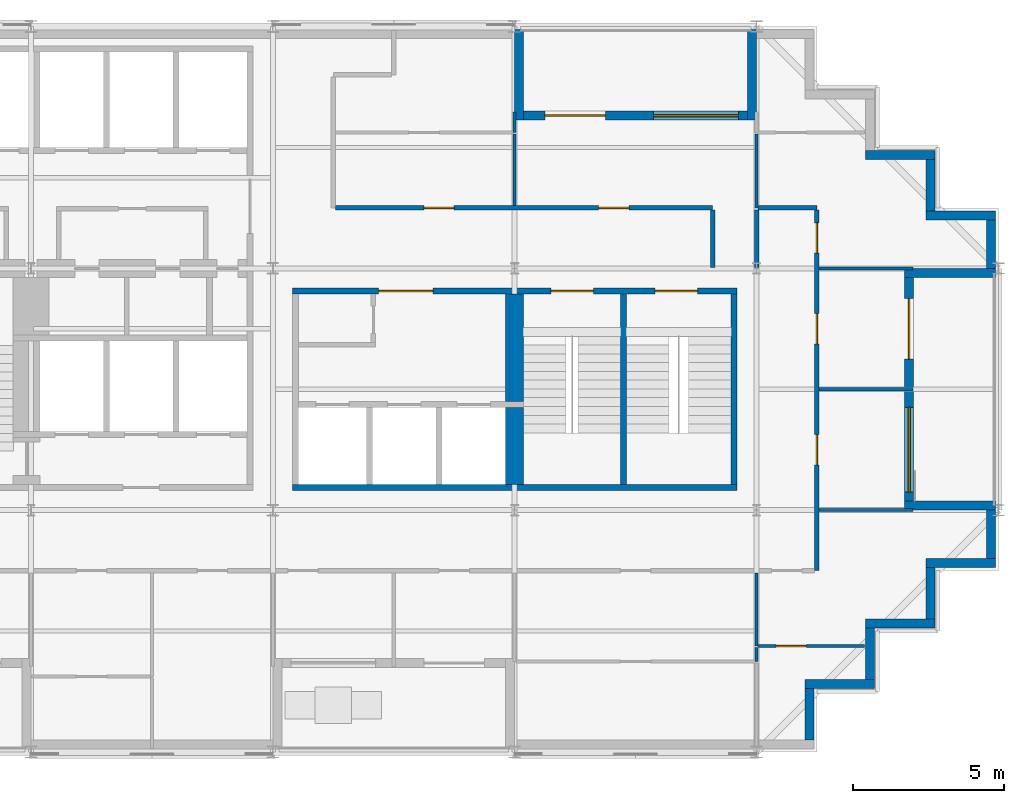
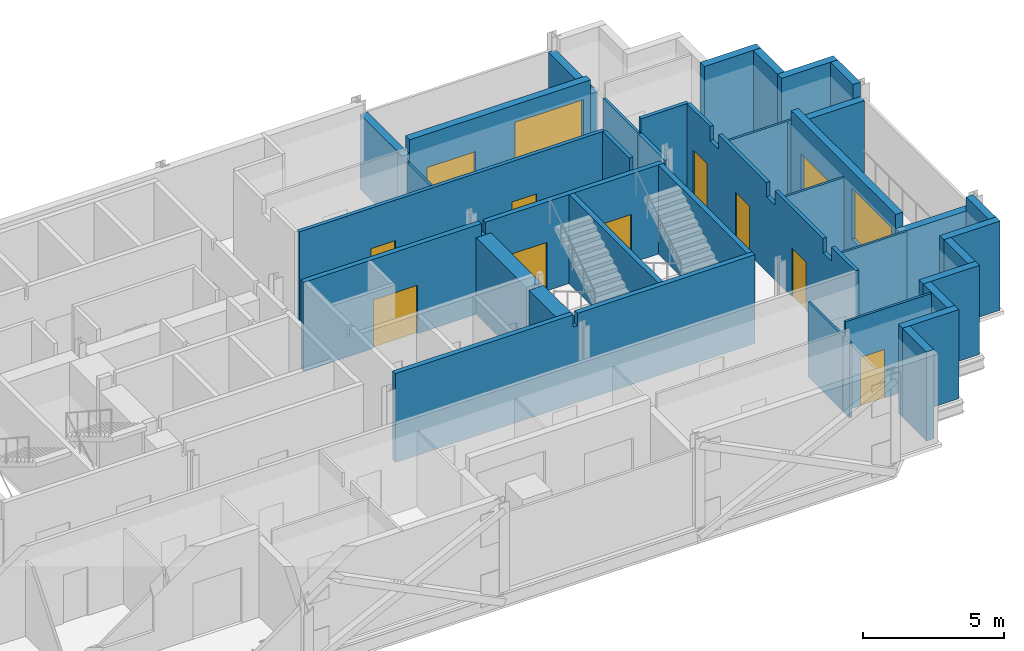
# One storey, part 7 of 10: 37 walls, 11 doors, 2 windows, 13 openings.
"""IFC4 building model written with IfcOpenShell, lengths in metres."""

from ifc_helpers import new_model, si_unit, direction, frame, frame_2d, origin, place, context, subcontext, project, spatial, polyline, rectangle, outline, extrude, material, layer, layer_set, type_object, element, fill, save


model = new_model("IFC4")

# Units and contexts
model_context = context("Model", 3, precision=1e-05, world=origin(), true_north=direction((0.0, 1.0)))
body_context = subcontext(model_context, "Body", "Model", "MODEL_VIEW")
ifc_project = project(units=[si_unit("LENGTHUNIT", "METRE"), si_unit("AREAUNIT", "SQUARE_METRE"), si_unit("VOLUMEUNIT", "CUBIC_METRE"), si_unit("PLANEANGLEUNIT", "RADIAN"), si_unit("MASSUNIT", "GRAM", prefix="KILO")], contexts=[model_context])

# Site, building, storey
site_placement = place(None, origin())
site = spatial("IfcSite", under=ifc_project, at=site_placement, CompositionType="ELEMENT")
building_placement = place(site_placement, origin())
building = spatial("IfcBuilding", under=site, at=building_placement, Name="Immortelle Media Tower", CompositionType="ELEMENT")
storey_placement = place(building_placement, frame((0.0, 0.0, 283.0)))
storey = spatial("IfcBuildingStorey", under=building, at=storey_placement, Name="L62", CompositionType="ELEMENT", Elevation=283.0)

# Wall, openings, doors
ifc_material_1 = material(Name="Fire-rated gypsum board", Category="gypsum")
ifc_layer_1 = layer(ifc_material_1, 0.012451171875)
ifc_material_2 = material(Name="Steel ASTM A653 SS Gr 50 stud frame with mineral wool", Category="steel")
ifc_layer_2 = layer(ifc_material_2, 0.125)
ifc_layer_3 = layer(ifc_material_1, 0.012451171875)
ifc_layer_set_1 = layer_set([ifc_layer_1, ifc_layer_2, ifc_layer_3], Name="Steel ASTM A653 SS Gr 50 stud frame with mineral wool")
wall_type_1 = type_object("IfcWallType", Name="Corridor wall 150", PredefinedType="PARTITIONING", material=ifc_layer_set_1)
wall_1_placement = place(storey_placement, frame((42.0, 6.0, 0.0), z_axis=(0.0, 0.0, 1.0), x_axis=(0.0, 1.0, 0.0)))
wall_1 = element("IfcWall", 1, at=wall_1_placement, inside=storey, type_object=wall_type_1, Name="Partition L62-017", PredefinedType="PARTITIONING", context=body_context, shape_type="SweptSolid", body=[
    extrude(outline(polyline([(0.0, 0.0), (11.925048828125, 0.0), (11.925048828125, 3.85009765625), (10.300048828125, 3.85009765625), (10.298095703125, 3.238037109375), (9.701904296875, 3.238037109375), (9.699951171875, 3.85009765625), (6.300048828125, 3.85009765625), (6.298095703125, 3.238037109375), (5.701904296875, 3.238037109375), (5.699951171875, 3.85009765625), (2.300048828125, 3.85009765625), (2.298095703125, 3.238037109375), (1.701904296875, 3.238037109375), (1.699951171875, 3.85009765625), (0.0, 3.85009765625), (0.0, 0.0)])), frame((0.0, 0.074951171875, 0.0), z_axis=(0.0, -1.0, 0.0), x_axis=(1.0, 0.0, 0.0)), (0.0, 0.0, 1.0), 0.14990234375),
])
opening_1_placement = place(wall_1_placement, frame((4.5, 0.0, 0.0), z_axis=(0.0, 0.0, 1.0), x_axis=(-1.0, 0.0, 0.0)))
opening_1 = element("IfcOpeningElement", 2, at=opening_1_placement, cuts=wall_1, Name="Opening X5-F015", PredefinedType="OPENING", context=body_context, shape_type="SweptSolid", body=[
    extrude(rectangle(XDim=1.0, YDim=2.10009765625, at=frame_2d((0.5, 1.050048828125))), frame((0.0, 0.0849609375, 0.0), z_axis=(0.0, -1.0, 0.0), x_axis=(1.0, 0.0, 0.0)), (0.0, 0.0, 1.0), 0.169921875),
])
opening_2_placement = place(wall_1_placement, frame((8.5, 0.0, 0.0), z_axis=(0.0, 0.0, 1.0), x_axis=(-1.0, 0.0, 0.0)))
opening_2 = element("IfcOpeningElement", 3, at=opening_2_placement, cuts=wall_1, Name="Opening X5-F016", PredefinedType="OPENING", context=body_context, shape_type="SweptSolid", body=[
    extrude(rectangle(XDim=1.0, YDim=2.10009765625, at=frame_2d((0.5, 1.050048828125))), frame((0.0, 0.0849609375, 0.0), z_axis=(0.0, -1.0, 0.0), x_axis=(1.0, 0.0, 0.0)), (0.0, 0.0, 1.0), 0.169921875),
])
opening_3_placement = place(wall_1_placement, frame((10.5, 0.0, 0.0)))
opening_3 = element("IfcOpeningElement", 4, at=opening_3_placement, cuts=wall_1, Name="Opening X5-F018", PredefinedType="OPENING", context=body_context, shape_type="SweptSolid", body=[
    extrude(rectangle(XDim=1.0, YDim=2.10009765625, at=frame_2d((0.5, 1.050048828125))), frame((0.0, 0.0849609375, 0.0), z_axis=(0.0, -1.0, 0.0), x_axis=(1.0, 0.0, 0.0)), (0.0, 0.0, 1.0), 0.169921875),
])
ifc_material_3 = material(Name="Timber veneered door leaf, galvanised steel frame ASTM A653", Category="steel")
door_type_1 = type_object("IfcDoorType", Name="Room door 1000 x 2100", OperationType="NOTDEFINED", PredefinedType="DOOR", material=ifc_material_3)
door_1_placement = place(opening_1_placement, origin())
door_1 = element("IfcDoor", 5, at=door_1_placement, inside=storey, type_object=door_type_1, Name="Door X5-F015", OperationType="SINGLE_SWING_LEFT", OverallHeight=2.10009765625, OverallWidth=1.0, PredefinedType="DOOR", context=body_context, shape_type="SweptSolid", body=[
    extrude(rectangle(XDim=1.0, YDim=2.10009765625, at=frame_2d((0.5, 1.050048828125))), frame((0.0, 0.02490234375, 0.0), z_axis=(0.0, -1.0, 0.0), x_axis=(1.0, 0.0, 0.0)), (0.0, 0.0, 1.0), 0.050048828125),
])
fill(opening_1, door_1)
door_2_placement = place(opening_2_placement, origin())
door_2 = element("IfcDoor", 6, at=door_2_placement, inside=storey, type_object=door_type_1, Name="Door X5-F016", OperationType="SINGLE_SWING_LEFT", OverallHeight=2.10009765625, OverallWidth=1.0, PredefinedType="DOOR", context=body_context, shape_type="SweptSolid", body=[
    extrude(rectangle(XDim=1.0, YDim=2.10009765625, at=frame_2d((0.5, 1.050048828125))), frame((0.0, 0.02490234375, 0.0), z_axis=(0.0, -1.0, 0.0), x_axis=(1.0, 0.0, 0.0)), (0.0, 0.0, 1.0), 0.050048828125),
])
fill(opening_2, door_2)
door_3_placement = place(opening_3_placement, origin())
door_3 = element("IfcDoor", 7, at=door_3_placement, inside=storey, type_object=door_type_1, Name="Door X5-F018", OperationType="SINGLE_SWING_RIGHT", OverallHeight=2.10009765625, OverallWidth=1.0, PredefinedType="DOOR", context=body_context, shape_type="SweptSolid", body=[
    extrude(rectangle(XDim=1.0, YDim=2.10009765625, at=frame_2d((0.5, 1.050048828125))), frame((0.0, 0.02490234375, 0.0), z_axis=(0.0, -1.0, 0.0), x_axis=(1.0, 0.0, 0.0)), (0.0, 0.0, 1.0), 0.050048828125),
])
fill(opening_3, door_3)

# Walls
wall_2_placement = place(storey_placement, frame((38.550048828125, 16.030029296875, 0.0), z_axis=(0.0, 0.0, 1.0), x_axis=(0.0, 1.0, 0.0)))
element("IfcWall", 8, at=wall_2_placement, inside=storey, type_object=wall_type_1, Name="Partition L62-024", PredefinedType="PARTITIONING", context=body_context, shape_type="SweptSolid", body=[
    extrude(rectangle(XDim=1.89501953125, YDim=0.14990234375, at=frame_2d((0.947509765625, 0.0))), origin(), (0.0, 0.0, 1.0), 3.85009765625),
])
wall_3_placement = place(storey_placement, frame((40.0, 16.030029296875, 0.0), z_axis=(0.0, 0.0, 1.0), x_axis=(0.0, 1.0, 0.0)))
element("IfcWall", 9, at=wall_3_placement, inside=storey, type_object=wall_type_1, Name="Partition L62-025", PredefinedType="PARTITIONING", context=body_context, shape_type="SweptSolid", body=[
    extrude(rectangle(XDim=1.89501953125, YDim=0.14990234375, at=frame_2d((0.947509765625, 0.0))), origin(), (0.0, 0.0, 1.0), 3.238037109375),
])

# Wall, openings, doors
wall_4_placement = place(storey_placement, frame((26.074951171875, 18.0, 0.0), z_axis=(0.0, 0.0, 1.0), x_axis=(1.0, 0.0, 0.0)))
wall_4 = element("IfcWall", 10, at=wall_4_placement, inside=storey, type_object=wall_type_1, Name="Partition L62-026", PredefinedType="PARTITIONING", context=body_context, shape_type="SweptSolid", body=[
    extrude(rectangle(XDim=12.47509765625, YDim=0.14990234375, at=frame_2d((6.237548828125, 0.0))), origin(), (0.0, 0.0, 1.0), 3.85009765625),
])
opening_4_placement = place(wall_4_placement, frame((8.699951171875, 0.0, 0.0)))
opening_4 = element("IfcOpeningElement", 11, at=opening_4_placement, cuts=wall_4, Name="Opening X5-F020", PredefinedType="OPENING", context=body_context, shape_type="SweptSolid", body=[
    extrude(rectangle(XDim=1.0, YDim=2.10009765625, at=frame_2d((0.5, 1.050048828125))), frame((0.0, 0.0849609375, 0.0), z_axis=(0.0, -1.0, 0.0), x_axis=(1.0, 0.0, 0.0)), (0.0, 0.0, 1.0), 0.169921875),
])
opening_5_placement = place(wall_4_placement, frame((2.925048828125, 0.0, 0.0)))
opening_5 = element("IfcOpeningElement", 12, at=opening_5_placement, cuts=wall_4, Name="Opening X5-F021", PredefinedType="OPENING", context=body_context, shape_type="SweptSolid", body=[
    extrude(rectangle(XDim=1.0, YDim=2.10009765625, at=frame_2d((0.5, 1.050048828125))), frame((0.0, 0.0849609375, 0.0), z_axis=(0.0, -1.0, 0.0), x_axis=(1.0, 0.0, 0.0)), (0.0, 0.0, 1.0), 0.169921875),
])
door_4_placement = place(opening_4_placement, origin())
door_4 = element("IfcDoor", 13, at=door_4_placement, inside=storey, type_object=door_type_1, Name="Door X5-F020", OperationType="SINGLE_SWING_LEFT", OverallHeight=2.10009765625, OverallWidth=1.0, PredefinedType="DOOR", context=body_context, shape_type="SweptSolid", body=[
    extrude(rectangle(XDim=1.0, YDim=2.10009765625, at=frame_2d((0.5, 1.050048828125))), frame((0.0, 0.02490234375, 0.0), z_axis=(0.0, -1.0, 0.0), x_axis=(1.0, 0.0, 0.0)), (0.0, 0.0, 1.0), 0.050048828125),
])
fill(opening_4, door_4)
door_5_placement = place(opening_5_placement, origin())
door_5 = element("IfcDoor", 14, at=door_5_placement, inside=storey, type_object=door_type_1, Name="Door X5-F021", OperationType="SINGLE_SWING_RIGHT", OverallHeight=2.10009765625, OverallWidth=1.0, PredefinedType="DOOR", context=body_context, shape_type="SweptSolid", body=[
    extrude(rectangle(XDim=1.0, YDim=2.10009765625, at=frame_2d((0.5, 1.050048828125))), frame((0.0, 0.02490234375, 0.0), z_axis=(0.0, -1.0, 0.0), x_axis=(1.0, 0.0, 0.0)), (0.0, 0.0, 1.0), 0.050048828125),
])
fill(opening_5, door_5)

# Walls
wall_5_placement = place(storey_placement, frame((40.050048828125, 18.0, 0.0), z_axis=(0.0, 0.0, 1.0), x_axis=(1.0, 0.0, 0.0)))
element("IfcWall", 15, at=wall_5_placement, inside=storey, type_object=wall_type_1, Name="Partition L62-029", PredefinedType="PARTITIONING", context=body_context, shape_type="SweptSolid", body=[
    extrude(rectangle(XDim=1.949951171875, YDim=0.14990234375, at=frame_2d((0.97509765625, 0.0))), origin(), (0.0, 0.0, 1.0), 3.85009765625),
])
ifc_material_4 = material(Name="Pale aluminium cladding panel", Category="aluminium")
ifc_layer_4 = layer(ifc_material_4, 0.030029296875)
ifc_layer_5 = layer(ifc_material_2, 0.257568359375)
ifc_material_5 = material(Name="Moisture-resistant gypsum board", Category="gypsum")
ifc_layer_6 = layer(ifc_material_5, 0.012451171875)
ifc_layer_set_2 = layer_set([ifc_layer_4, ifc_layer_5, ifc_layer_6], Name="Steel ASTM A653 SS Gr 50 stud frame with mineral wool")
wall_type_2 = type_object("IfcWallType", Name="Facade wall 300", PredefinedType="SOLIDWALL", material=ifc_layer_set_2)
wall_6_placement = place(storey_placement, frame((41.75, 0.39990234375, 0.0), z_axis=(0.0, 0.0, 1.0), x_axis=(0.0, 1.0, 0.0)))
element("IfcWall", 16, at=wall_6_placement, inside=storey, type_object=wall_type_2, Name="Facade wall L62 E7", PredefinedType="SOLIDWALL", context=body_context, shape_type="SweptSolid", body=[
    extrude(rectangle(XDim=1.7001953125, YDim=0.300048828125, at=frame_2d((0.85009765625, 0.0))), origin(), (0.0, 0.0, 1.0), 3.85009765625),
])
wall_7_placement = place(storey_placement, frame((41.60009765625, 2.25, 0.0), z_axis=(0.0, 0.0, 1.0), x_axis=(1.0, 0.0, 0.0)))
element("IfcWall", 17, at=wall_7_placement, inside=storey, type_object=wall_type_2, Name="Facade wall L62 S8", PredefinedType="SOLIDWALL", context=body_context, shape_type="SweptSolid", body=[
    extrude(rectangle(XDim=2.2998046875, YDim=0.300048828125, at=frame_2d((1.14990234375, 0.0))), origin(), (0.0, 0.0, 1.0), 3.85009765625),
])
wall_8_placement = place(storey_placement, frame((43.75, 2.39990234375, 0.0), z_axis=(0.0, 0.0, 1.0), x_axis=(0.0, 1.0, 0.0)))
element("IfcWall", 18, at=wall_8_placement, inside=storey, type_object=wall_type_2, Name="Facade wall L62 E9", PredefinedType="SOLIDWALL", context=body_context, shape_type="SweptSolid", body=[
    extrude(rectangle(XDim=1.7001953125, YDim=0.300048828125, at=frame_2d((0.85009765625, 0.0))), origin(), (0.0, 0.0, 1.0), 3.85009765625),
])
wall_9_placement = place(storey_placement, frame((43.60009765625, 4.25, 0.0), z_axis=(0.0, 0.0, 1.0), x_axis=(1.0, 0.0, 0.0)))
element("IfcWall", 19, at=wall_9_placement, inside=storey, type_object=wall_type_2, Name="Facade wall L62 S10", PredefinedType="SOLIDWALL", context=body_context, shape_type="SweptSolid", body=[
    extrude(rectangle(XDim=2.2998046875, YDim=0.300048828125, at=frame_2d((1.14990234375, 0.0))), origin(), (0.0, 0.0, 1.0), 3.85009765625),
])
wall_10_placement = place(storey_placement, frame((45.75, 4.39990234375, 0.0), z_axis=(0.0, 0.0, 1.0), x_axis=(0.0, 1.0, 0.0)))
element("IfcWall", 20, at=wall_10_placement, inside=storey, type_object=wall_type_2, Name="Facade wall L62 E11", PredefinedType="SOLIDWALL", context=body_context, shape_type="SweptSolid", body=[
    extrude(rectangle(XDim=1.7001953125, YDim=0.300048828125, at=frame_2d((0.85009765625, 0.0))), origin(), (0.0, 0.0, 1.0), 3.85009765625),
])
wall_11_placement = place(storey_placement, frame((45.60009765625, 6.25, 0.0), z_axis=(0.0, 0.0, 1.0), x_axis=(1.0, 0.0, 0.0)))
element("IfcWall", 21, at=wall_11_placement, inside=storey, type_object=wall_type_2, Name="Facade wall L62 S12", PredefinedType="SOLIDWALL", context=body_context, shape_type="SweptSolid", body=[
    extrude(rectangle(XDim=2.2998046875, YDim=0.300048828125, at=frame_2d((1.14990234375, 0.0))), origin(), (0.0, 0.0, 1.0), 3.85009765625),
])
wall_12_placement = place(storey_placement, frame((47.75, 6.39990234375, 0.0), z_axis=(0.0, 0.0, 1.0), x_axis=(0.0, 1.0, 0.0)))
element("IfcWall", 22, at=wall_12_placement, inside=storey, type_object=wall_type_2, Name="Facade wall L62 E13", PredefinedType="SOLIDWALL", context=body_context, shape_type="SweptSolid", body=[
    extrude(rectangle(XDim=1.60009765625, YDim=0.300048828125, at=frame_2d((0.800048828125, 0.0))), origin(), (0.0, 0.0, 1.0), 3.85009765625),
])

# Wall, openings, door, window
wall_13_placement = place(storey_placement, frame((45.050048828125, 8.300048828125, 0.0), z_axis=(0.0, 0.0, 1.0), x_axis=(0.0, 1.0, 0.0)))
wall_13 = element("IfcWall", 23, at=wall_13_placement, inside=storey, type_object=wall_type_2, Name="Loggia wall L62 E13", PredefinedType="SOLIDWALL", context=body_context, shape_type="SweptSolid", body=[
    extrude(rectangle(XDim=7.39990234375, YDim=0.300048828125, at=frame_2d((3.699951171875, 0.0))), origin(), (0.0, 0.0, 1.0), 3.85009765625),
])
opening_6_placement = place(wall_13_placement, frame((0.300048828125, 0.0, 0.89990234375)))
opening_6 = element("IfcOpeningElement", 24, at=opening_6_placement, cuts=wall_13, Name="Opening W1", PredefinedType="OPENING", context=body_context, shape_type="SweptSolid", body=[
    extrude(rectangle(XDim=2.800048828125, YDim=2.199951171875, at=frame_2d((1.39990234375, 1.10009765625))), frame((0.0, 0.159912109375, 0.0), z_axis=(0.0, -1.0, 0.0), x_axis=(1.0, 0.0, 0.0)), (0.0, 0.0, 1.0), 0.320068359375),
])
opening_7_placement = place(wall_13_placement, frame((4.699951171875, 0.0, 0.0)))
opening_7 = element("IfcOpeningElement", 25, at=opening_7_placement, cuts=wall_13, Name="Opening X5-E003", PredefinedType="OPENING", context=body_context, shape_type="SweptSolid", body=[
    extrude(rectangle(XDim=2.0, YDim=2.39990234375, at=frame_2d((1.0, 1.199951171875))), frame((0.0, 0.159912109375, 0.0), z_axis=(0.0, -1.0, 0.0), x_axis=(1.0, 0.0, 0.0)), (0.0, 0.0, 1.0), 0.320068359375),
])
ifc_material_6 = material(Name="Aluminium frame, glazed leaves", Category="aluminium")
door_type_2 = type_object("IfcDoorType", Name="Loggia door 2000 x 2400", OperationType="DOUBLE_DOOR_SINGLE_SWING", PredefinedType="DOOR", material=ifc_material_6)
door_6_placement = place(opening_7_placement, origin())
door_6 = element("IfcDoor", 26, at=door_6_placement, inside=storey, type_object=door_type_2, Name="Door X5-E003", OperationType="DOUBLE_DOOR_SINGLE_SWING", OverallHeight=2.39990234375, OverallWidth=2.0, PredefinedType="DOOR", context=body_context, shape_type="SweptSolid", body=[
    extrude(rectangle(XDim=2.0, YDim=2.39990234375, at=frame_2d((1.0, 1.199951171875))), frame((0.0, 0.02490234375, 0.0), z_axis=(0.0, -1.0, 0.0), x_axis=(1.0, 0.0, 0.0)), (0.0, 0.0, 1.0), 0.050048828125),
])
fill(opening_7, door_6)
ifc_material_7 = material(Name="Aluminium frame", Category="aluminium")
window_type = type_object("IfcWindowType", Name="Window 2800 x 2200", PartitioningType="SINGLE_PANEL", PredefinedType="WINDOW", material=ifc_material_7)
window_1_placement = place(opening_6_placement, origin())
window_1 = element("IfcWindow", 27, at=window_1_placement, inside=storey, type_object=window_type, Name="Window L62 L62-R13-B0", OverallHeight=2.199951171875, OverallWidth=2.800048828125, PartitioningType="SINGLE_PANEL", PredefinedType="WINDOW", context=body_context, shape_type="SweptSolid", body=[
    extrude(rectangle(XDim=2.800048828125, YDim=2.199951171875, at=frame_2d((1.39990234375, 1.10009765625))), frame((0.0, 0.030029296875, 0.0), z_axis=(0.0, -1.0, 0.0), x_axis=(1.0, 0.0, 0.0)), (0.0, 0.0, 1.0), 0.06005859375),
])
fill(opening_6, window_1)

# Walls
for number, where, z_axis, x_axis, name in (
    (28, (47.89990234375, 8.14990234375, 0.0), (0.0, 0.0, 1.0), (-1.0, 0.0, 0.0), "Loggia cheek wall L62 E"),
    (29, (47.89990234375, 15.85009765625, 0.0), (0.0, 0.0, 1.0), (-1.0, 0.0, 0.0), "Loggia cheek wall L62 E"),
):
    element("IfcWall", number, at=place(storey_placement, frame(where, z_axis=z_axis, x_axis=x_axis)), inside=storey, type_object=wall_type_2, Name=name, PredefinedType="SOLIDWALL", context=body_context, shape_type="SweptSolid", body=[
        extrude(rectangle(XDim=3.0, YDim=0.300048828125, at=frame_2d((1.5, 0.0))), origin(), (0.0, 0.0, 1.0), 3.237060546875),
    ])
wall_14_placement = place(storey_placement, frame((47.75, 16.0, 0.0), z_axis=(0.0, 0.0, 1.0), x_axis=(0.0, 1.0, 0.0)))
element("IfcWall", 30, at=wall_14_placement, inside=storey, type_object=wall_type_2, Name="Facade wall L62 E13", PredefinedType="SOLIDWALL", context=body_context, shape_type="SweptSolid", body=[
    extrude(rectangle(XDim=1.60009765625, YDim=0.300048828125, at=frame_2d((0.800048828125, 0.0))), origin(), (0.0, 0.0, 1.0), 3.85009765625),
])
wall_15_placement = place(storey_placement, frame((47.89990234375, 17.75, 0.0), z_axis=(0.0, 0.0, 1.0), x_axis=(-1.0, 0.0, 0.0)))
element("IfcWall", 31, at=wall_15_placement, inside=storey, type_object=wall_type_2, Name="Facade wall L62 N14", PredefinedType="SOLIDWALL", context=body_context, shape_type="SweptSolid", body=[
    extrude(rectangle(XDim=2.2998046875, YDim=0.300048828125, at=frame_2d((1.14990234375, 0.0))), origin(), (0.0, 0.0, 1.0), 3.85009765625),
])
wall_16_placement = place(storey_placement, frame((45.75, 17.89990234375, 0.0), z_axis=(0.0, 0.0, 1.0), x_axis=(0.0, 1.0, 0.0)))
element("IfcWall", 32, at=wall_16_placement, inside=storey, type_object=wall_type_2, Name="Facade wall L62 E15", PredefinedType="SOLIDWALL", context=body_context, shape_type="SweptSolid", body=[
    extrude(rectangle(XDim=1.7001953125, YDim=0.300048828125, at=frame_2d((0.85009765625, 0.0))), origin(), (0.0, 0.0, 1.0), 3.85009765625),
])
wall_17_placement = place(storey_placement, frame((45.89990234375, 19.75, 0.0), z_axis=(0.0, 0.0, 1.0), x_axis=(-1.0, 0.0, 0.0)))
element("IfcWall", 33, at=wall_17_placement, inside=storey, type_object=wall_type_2, Name="Facade wall L62 N16", PredefinedType="SOLIDWALL", context=body_context, shape_type="SweptSolid", body=[
    extrude(rectangle(XDim=2.2998046875, YDim=0.300048828125, at=frame_2d((1.14990234375, 0.0))), origin(), (0.0, 0.0, 1.0), 3.85009765625),
])

# Wall, openings, door, window
wall_18_placement = place(storey_placement, frame((39.699951171875, 21.050048828125, 0.0), z_axis=(0.0, 0.0, 1.0), x_axis=(-1.0, 0.0, 0.0)))
wall_18 = element("IfcWall", 34, at=wall_18_placement, inside=storey, type_object=wall_type_2, Name="Loggia wall L62 N20", PredefinedType="SOLIDWALL", context=body_context, shape_type="SweptSolid", body=[
    extrude(rectangle(XDim=7.39990234375, YDim=0.300048828125, at=frame_2d((3.699951171875, 0.0))), origin(), (0.0, 0.0, 1.0), 3.85009765625),
])
opening_8_placement = place(wall_18_placement, frame((0.300048828125, 0.0, 0.89990234375)))
opening_8 = element("IfcOpeningElement", 35, at=opening_8_placement, cuts=wall_18, Name="Opening W1", PredefinedType="OPENING", context=body_context, shape_type="SweptSolid", body=[
    extrude(rectangle(XDim=2.800048828125, YDim=2.199951171875, at=frame_2d((1.39990234375, 1.10009765625))), frame((0.0, 0.159912109375, 0.0), z_axis=(0.0, -1.0, 0.0), x_axis=(1.0, 0.0, 0.0)), (0.0, 0.0, 1.0), 0.320068359375),
])
opening_9_placement = place(wall_18_placement, frame((4.699951171875, 0.0, 0.0)))
opening_9 = element("IfcOpeningElement", 36, at=opening_9_placement, cuts=wall_18, Name="Opening X5-E004", PredefinedType="OPENING", context=body_context, shape_type="SweptSolid", body=[
    extrude(rectangle(XDim=2.0, YDim=2.39990234375, at=frame_2d((1.0, 1.199951171875))), frame((0.0, 0.159912109375, 0.0), z_axis=(0.0, -1.0, 0.0), x_axis=(1.0, 0.0, 0.0)), (0.0, 0.0, 1.0), 0.320068359375),
])
door_7_placement = place(opening_9_placement, origin())
door_7 = element("IfcDoor", 37, at=door_7_placement, inside=storey, type_object=door_type_2, Name="Door X5-E004", OperationType="DOUBLE_DOOR_SINGLE_SWING", OverallHeight=2.39990234375, OverallWidth=2.0, PredefinedType="DOOR", context=body_context, shape_type="SweptSolid", body=[
    extrude(rectangle(XDim=2.0, YDim=2.39990234375, at=frame_2d((1.0, 1.199951171875))), frame((0.0, 0.02490234375, 0.0), z_axis=(0.0, -1.0, 0.0), x_axis=(1.0, 0.0, 0.0)), (0.0, 0.0, 1.0), 0.050048828125),
])
fill(opening_9, door_7)
window_2_placement = place(opening_8_placement, origin())
window_2 = element("IfcWindow", 38, at=window_2_placement, inside=storey, type_object=window_type, Name="Window L62 L62-R20-B0", OverallHeight=2.199951171875, OverallWidth=2.800048828125, PartitioningType="SINGLE_PANEL", PredefinedType="WINDOW", context=body_context, shape_type="SweptSolid", body=[
    extrude(rectangle(XDim=2.800048828125, YDim=2.199951171875, at=frame_2d((1.39990234375, 1.10009765625))), frame((0.0, 0.030029296875, 0.0), z_axis=(0.0, -1.0, 0.0), x_axis=(1.0, 0.0, 0.0)), (0.0, 0.0, 1.0), 0.06005859375),
])
fill(opening_8, window_2)

# Walls
wall_19_placement = place(storey_placement, frame((39.85009765625, 23.89990234375, 0.0), z_axis=(0.0, 0.0, 1.0), x_axis=(0.0, -1.0, 0.0)))
element("IfcWall", 39, at=wall_19_placement, inside=storey, type_object=wall_type_2, Name="Loggia cheek wall L62 N", PredefinedType="SOLIDWALL", context=body_context, shape_type="SweptSolid", body=[
    extrude(rectangle(XDim=3.0, YDim=0.300048828125, at=frame_2d((1.5, 0.0))), origin(), (0.0, 0.0, 1.0), 3.237060546875),
])
wall_20_placement = place(storey_placement, frame((32.14990234375, 23.89990234375, 0.0), z_axis=(0.0, 0.0, 1.0), x_axis=(0.0, -1.0, 0.0)))
element("IfcWall", 40, at=wall_20_placement, inside=storey, type_object=wall_type_2, Name="Loggia cheek wall L62 N", PredefinedType="SOLIDWALL", context=body_context, shape_type="SweptSolid", body=[
    extrude(rectangle(XDim=3.0, YDim=0.300048828125, at=frame_2d((1.5, 0.0))), origin(), (0.0, 0.0, 1.0), 3.2470703125),
])
ifc_material_8 = material(Name="Gypsum board", Category="gypsum")
ifc_layer_7 = layer(ifc_material_8, 0.012451171875)
ifc_layer_8 = layer(ifc_material_2, 0.074951171875)
ifc_layer_9 = layer(ifc_material_8, 0.012451171875)
ifc_layer_set_3 = layer_set([ifc_layer_7, ifc_layer_8, ifc_layer_9], Name="Steel ASTM A653 SS Gr 50 stud frame with mineral wool")
wall_type_3 = type_object("IfcWallType", Name="Partition 100", PredefinedType="PARTITIONING", material=ifc_layer_set_3)
wall_21_placement = place(storey_placement, frame((40.0, 3.0, 0.0), z_axis=(0.0, 0.0, 1.0), x_axis=(0.0, 1.0, 0.0)))
element("IfcWall", 41, at=wall_21_placement, inside=storey, type_object=wall_type_3, Name="Partition L62-012", PredefinedType="PARTITIONING", context=body_context, shape_type="SweptSolid", body=[
    extrude(rectangle(XDim=0.449951171875, YDim=0.10009765625, at=frame_2d((0.22509765625, 0.0))), origin(), (0.0, 0.0, 1.0), 3.238037109375),
])

# Wall, opening, door
wall_22_placement = place(storey_placement, frame((40.050048828125, 3.5, 0.0), z_axis=(0.0, 0.0, 1.0), x_axis=(1.0, 0.0, 0.0)))
wall_22 = element("IfcWall", 42, at=wall_22_placement, inside=storey, type_object=wall_type_3, Name="Partition L62-013", PredefinedType="PARTITIONING", context=body_context, shape_type="SweptSolid", body=[
    extrude(rectangle(XDim=3.52001953125, YDim=0.10009765625, at=frame_2d((1.760009765625, 0.0))), origin(), (0.0, 0.0, 1.0), 3.85009765625),
])
opening_10_placement = place(wall_22_placement, frame((1.60009765625, 0.0, 0.0), z_axis=(0.0, 0.0, 1.0), x_axis=(-1.0, 0.0, 0.0)))
opening_10 = element("IfcOpeningElement", 43, at=opening_10_placement, cuts=wall_22, Name="Opening X5-F007", PredefinedType="OPENING", context=body_context, shape_type="SweptSolid", body=[
    extrude(rectangle(XDim=1.0, YDim=2.10009765625, at=frame_2d((0.5, 1.050048828125))), frame((0.0, 0.06005859375, 0.0), z_axis=(0.0, -1.0, 0.0), x_axis=(1.0, 0.0, 0.0)), (0.0, 0.0, 1.0), 0.1201171875),
])
door_8_placement = place(opening_10_placement, origin())
door_8 = element("IfcDoor", 44, at=door_8_placement, inside=storey, type_object=door_type_1, Name="Door X5-F007", OperationType="SINGLE_SWING_RIGHT", OverallHeight=2.10009765625, OverallWidth=1.0, PredefinedType="DOOR", context=body_context, shape_type="SweptSolid", body=[
    extrude(rectangle(XDim=1.0, YDim=2.10009765625, at=frame_2d((0.5, 1.050048828125))), frame((0.0, 0.02490234375, 0.0), z_axis=(0.0, -1.0, 0.0), x_axis=(1.0, 0.0, 0.0)), (0.0, 0.0, 1.0), 0.050048828125),
])
fill(opening_10, door_8)

# Walls
wall_23_placement = place(storey_placement, frame((40.0, 3.5, 0.0), z_axis=(0.0, 0.0, 1.0), x_axis=(0.0, 1.0, 0.0)))
element("IfcWall", 45, at=wall_23_placement, inside=storey, type_object=wall_type_3, Name="Partition L62-014", PredefinedType="PARTITIONING", context=body_context, shape_type="SweptSolid", body=[
    extrude(rectangle(XDim=2.425048828125, YDim=0.10009765625, at=frame_2d((1.21240234375, 0.0))), origin(), (0.0, 0.0, 1.0), 3.238037109375),
])
for number, where, z_axis, x_axis, name in (
    (46, (42.074951171875, 8.0, 0.0), (0.0, 0.0, 1.0), (1.0, 0.0, 0.0), "Partition L62-019"),
    (47, (42.074951171875, 12.0, 0.0), (0.0, 0.0, 1.0), (1.0, 0.0, 0.0), "Partition L62-021"),
    (48, (42.074951171875, 16.0, 0.0), (0.0, 0.0, 1.0), (1.0, 0.0, 0.0), "Partition L62-023"),
):
    element("IfcWall", number, at=place(storey_placement, frame(where, z_axis=z_axis, x_axis=x_axis)), inside=storey, type_object=wall_type_3, Name=name, PredefinedType="PARTITIONING", context=body_context, shape_type="SweptSolid", body=[
        extrude(rectangle(XDim=3.094970703125, YDim=0.10009765625, at=frame_2d((1.54736328125, 0.0))), origin(), (0.0, 0.0, 1.0), 3.238037109375),
    ])
wall_24_placement = place(storey_placement, frame((32.0, 18.074951171875, 0.0), z_axis=(0.0, 0.0, 1.0), x_axis=(0.0, 1.0, 0.0)))
element("IfcWall", 49, at=wall_24_placement, inside=storey, type_object=wall_type_3, Name="Partition L62-028", PredefinedType="PARTITIONING", context=body_context, shape_type="SweptSolid", body=[
    extrude(rectangle(XDim=2.375, YDim=0.10009765625, at=frame_2d((1.1875, 0.0))), origin(), (0.0, 0.0, 1.0), 3.238037109375),
])
wall_25_placement = place(storey_placement, frame((40.0, 18.0, 0.0), z_axis=(0.0, 0.0, 1.0), x_axis=(0.0, 1.0, 0.0)))
element("IfcWall", 50, at=wall_25_placement, inside=storey, type_object=wall_type_3, Name="Partition L62-030", PredefinedType="PARTITIONING", context=body_context, shape_type="SweptSolid", body=[
    extrude(rectangle(XDim=2.449951171875, YDim=0.10009765625, at=frame_2d((1.22509765625, 0.0))), origin(), (0.0, 0.0, 1.0), 3.238037109375),
])
wall_26_placement = place(storey_placement, frame((32.0, 20.5, 0.0), z_axis=(0.0, 0.0, 1.0), x_axis=(0.0, 1.0, 0.0)))
element("IfcWall", 51, at=wall_26_placement, inside=storey, type_object=wall_type_3, Name="Partition L62-033", PredefinedType="PARTITIONING", context=body_context, shape_type="SweptSolid", body=[
    extrude(rectangle(XDim=0.669921875, YDim=0.10009765625, at=frame_2d((0.3349609375, 0.0))), origin(), (0.0, 0.0, 1.0), 3.238037109375),
])
ifc_material_9 = material(Name="Concrete C60", Category="concrete")
ifc_layer_10 = layer(ifc_material_9, 0.199951171875)
ifc_layer_set_4 = layer_set([ifc_layer_10], Name="Concrete C60")
wall_type_4 = type_object("IfcWallType", Name="Stair shaft wall 200", PredefinedType="PARTITIONING", material=ifc_layer_set_4)
wall_27_placement = place(storey_placement, frame((24.64990234375, 8.75, 0.0), z_axis=(0.0, 0.0, 1.0), x_axis=(1.0, 0.0, 0.0)))
element("IfcWall", 52, at=wall_27_placement, inside=storey, type_object=wall_type_4, Name="Stair shaft wall SE", PredefinedType="PARTITIONING", context=body_context, shape_type="SweptSolid", body=[
    extrude(outline(polyline([(0.0, 0.0), (14.7001953125, 0.0), (14.699951171875, 3.85009765625), (7.4375, 3.85009765625), (7.4365234375, 3.318115234375), (7.263427734375, 3.318115234375), (7.262451171875, 3.85009765625), (0.0, 3.85009765625), (0.0, 0.0)])), frame((0.0, 0.10009765625, 0.0), z_axis=(0.0, -1.0, 0.0), x_axis=(1.0, 0.0, 0.0)), (0.0, 0.0, 1.0), 0.199951171875),
])

# Wall, openings, doors
wall_28_placement = place(storey_placement, frame((24.64990234375, 15.25, 0.0), z_axis=(0.0, 0.0, 1.0), x_axis=(1.0, 0.0, 0.0)))
wall_28 = element("IfcWall", 53, at=wall_28_placement, inside=storey, type_object=wall_type_4, Name="Stair shaft wall SE", PredefinedType="PARTITIONING", context=body_context, shape_type="SweptSolid", body=[
    extrude(outline(polyline([(0.0, 0.0), (14.7001953125, 0.0), (14.699951171875, 3.85009765625), (7.4375, 3.85009765625), (7.4365234375, 3.318115234375), (7.263427734375, 3.318115234375), (7.262451171875, 3.85009765625), (0.0, 3.85009765625), (0.0, 0.0)])), frame((0.0, 0.10009765625, 0.0), z_axis=(0.0, -1.0, 0.0), x_axis=(1.0, 0.0, 0.0)), (0.0, 0.0, 1.0), 0.199951171875),
])
opening_11_placement = place(wall_28_placement, frame((2.85009765625, 0.0, 0.0)))
opening_11 = element("IfcOpeningElement", 54, at=opening_11_placement, cuts=wall_28, Name="Opening X5-K023", PredefinedType="OPENING", context=body_context, shape_type="SweptSolid", body=[
    extrude(rectangle(XDim=1.800048828125, YDim=2.10009765625, at=frame_2d((0.89990234375, 1.050048828125))), frame((0.0, 0.10986328125, 0.0), z_axis=(0.0, -1.0, 0.0), x_axis=(1.0, 0.0, 0.0)), (0.0, 0.0, 1.0), 0.219970703125),
])
opening_12_placement = place(wall_28_placement, frame((9.949951171875, 0.0, 0.0), z_axis=(0.0, 0.0, 1.0), x_axis=(-1.0, 0.0, 0.0)))
opening_12 = element("IfcOpeningElement", 55, at=opening_12_placement, cuts=wall_28, Name="Opening X5-K025", PredefinedType="OPENING", context=body_context, shape_type="SweptSolid", body=[
    extrude(rectangle(XDim=1.39990234375, YDim=2.10009765625, at=frame_2d((0.699951171875, 1.050048828125))), frame((0.0, 0.10986328125, 0.0), z_axis=(0.0, -1.0, 0.0), x_axis=(1.0, 0.0, 0.0)), (0.0, 0.0, 1.0), 0.219970703125),
])
opening_13_placement = place(wall_28_placement, frame((13.39990234375, 0.0, 0.0), z_axis=(0.0, 0.0, 1.0), x_axis=(-1.0, 0.0, 0.0)))
opening_13 = element("IfcOpeningElement", 56, at=opening_13_placement, cuts=wall_28, Name="Opening X5-K026", PredefinedType="OPENING", context=body_context, shape_type="SweptSolid", body=[
    extrude(rectangle(XDim=1.39990234375, YDim=2.10009765625, at=frame_2d((0.699951171875, 1.050048828125))), frame((0.0, 0.10986328125, 0.0), z_axis=(0.0, -1.0, 0.0), x_axis=(1.0, 0.0, 0.0)), (0.0, 0.0, 1.0), 0.219970703125),
])
ifc_material_10 = material(Name="Galvanised steel door leaf and frame ASTM A653", Category="steel")
door_type_3 = type_object("IfcDoorType", Name="Lift lobby door 1800 x 2100", OperationType="DOUBLE_DOOR_SINGLE_SWING", PredefinedType="NOTDEFINED", material=ifc_material_10)
door_9_placement = place(opening_11_placement, origin())
door_9 = element("IfcDoor", 57, at=door_9_placement, inside=storey, type_object=door_type_3, Name="Lift lobby X5-K023", OperationType="DOUBLE_DOOR_SINGLE_SWING", OverallHeight=2.10009765625, OverallWidth=1.800048828125, PredefinedType="NOTDEFINED", context=body_context, shape_type="SweptSolid", body=[
    extrude(rectangle(XDim=1.800048828125, YDim=2.10009765625, at=frame_2d((0.89990234375, 1.050048828125))), frame((0.0, 0.02490234375, 0.0), z_axis=(0.0, -1.0, 0.0), x_axis=(1.0, 0.0, 0.0)), (0.0, 0.0, 1.0), 0.050048828125),
])
fill(opening_11, door_9)
door_type_4 = type_object("IfcDoorType", Name="Stair door 1400 x 2100", OperationType="DOUBLE_DOOR_SINGLE_SWING", PredefinedType="NOTDEFINED", material=ifc_material_10)
door_10_placement = place(opening_12_placement, origin())
door_10 = element("IfcDoor", 58, at=door_10_placement, inside=storey, type_object=door_type_4, Name="Stair X5-K025", OperationType="DOUBLE_DOOR_SINGLE_SWING", OverallHeight=2.10009765625, OverallWidth=1.39990234375, PredefinedType="NOTDEFINED", context=body_context, shape_type="SweptSolid", body=[
    extrude(rectangle(XDim=1.39990234375, YDim=2.10009765625, at=frame_2d((0.699951171875, 1.050048828125))), frame((0.0, 0.02490234375, 0.0), z_axis=(0.0, -1.0, 0.0), x_axis=(1.0, 0.0, 0.0)), (0.0, 0.0, 1.0), 0.050048828125),
])
fill(opening_12, door_10)
door_11_placement = place(opening_13_placement, origin())
door_11 = element("IfcDoor", 59, at=door_11_placement, inside=storey, type_object=door_type_4, Name="Stair X5-K026", OperationType="DOUBLE_DOOR_SINGLE_SWING", OverallHeight=2.10009765625, OverallWidth=1.39990234375, PredefinedType="NOTDEFINED", context=body_context, shape_type="SweptSolid", body=[
    extrude(rectangle(XDim=1.39990234375, YDim=2.10009765625, at=frame_2d((0.699951171875, 1.050048828125))), frame((0.0, 0.02490234375, 0.0), z_axis=(0.0, -1.0, 0.0), x_axis=(1.0, 0.0, 0.0)), (0.0, 0.0, 1.0), 0.050048828125),
])
fill(opening_13, door_11)

# Walls
for number, where, z_axis, x_axis, name in (
    (60, (35.60009765625, 8.85009765625, 0.0), (0.0, 0.0, 1.0), (0.0, 1.0, 0.0), "Stair shaft wall SE"),
    (61, (39.25, 8.85009765625, 0.0), (0.0, 0.0, 1.0), (0.0, 1.0, 0.0), "Stair shaft wall SE"),
):
    element("IfcWall", number, at=place(storey_placement, frame(where, z_axis=z_axis, x_axis=x_axis)), inside=storey, type_object=wall_type_4, Name=name, PredefinedType="PARTITIONING", context=body_context, shape_type="SweptSolid", body=[
        extrude(rectangle(XDim=6.2998046875, YDim=0.199951171875, at=frame_2d((3.14990234375, 0.0))), origin(), (0.0, 0.0, 1.0), 3.85009765625),
    ])
ifc_layer_11 = layer(ifc_material_9, 0.60009765625)
ifc_layer_set_5 = layer_set([ifc_layer_11], Name="Concrete C60")
wall_type_5 = type_object("IfcWallType", Name="Stair shaft wall 600", PredefinedType="PARTITIONING", material=ifc_layer_set_5)
wall_29_placement = place(storey_placement, frame((32.0, 8.85009765625, 0.0), z_axis=(0.0, 0.0, 1.0), x_axis=(0.0, 1.0, 0.0)))
element("IfcWall", 62, at=wall_29_placement, inside=storey, type_object=wall_type_5, Name="Stair shaft wall SE", PredefinedType="PARTITIONING", context=body_context, shape_type="SweptSolid", body=[
    extrude(rectangle(XDim=2.5498046875, YDim=0.60009765625, at=frame_2d((1.27490234375, 0.0))), origin(), (0.0, 0.0, 1.0), 3.318115234375),
])
wall_30_placement = place(storey_placement, frame((32.0, 11.60009765625, 0.0), z_axis=(0.0, 0.0, 1.0), x_axis=(0.0, 1.0, 0.0)))
element("IfcWall", 63, at=wall_30_placement, inside=storey, type_object=wall_type_5, Name="Stair shaft wall SE", PredefinedType="PARTITIONING", context=body_context, shape_type="SweptSolid", body=[
    extrude(rectangle(XDim=3.5498046875, YDim=0.60009765625, at=frame_2d((1.77490234375, 0.0))), origin(), (0.0, 0.0, 1.0), 3.318115234375),
])

save(model, "model.ifc")
